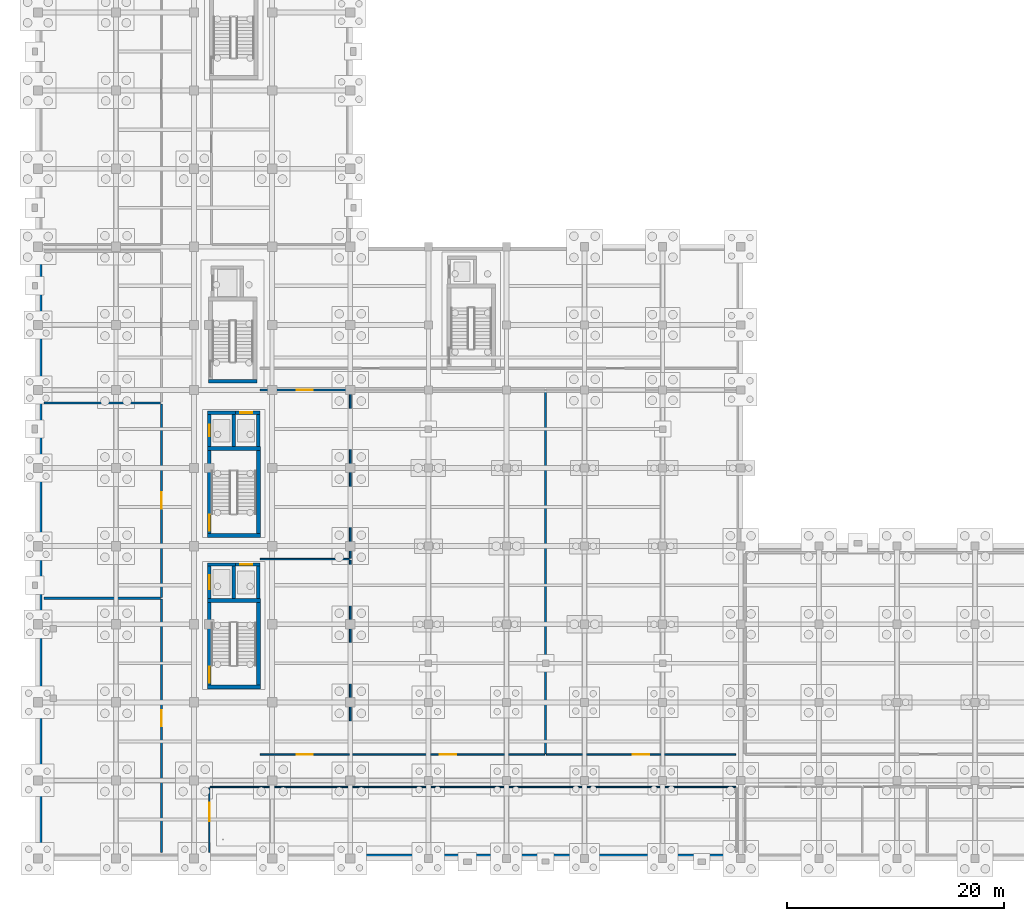
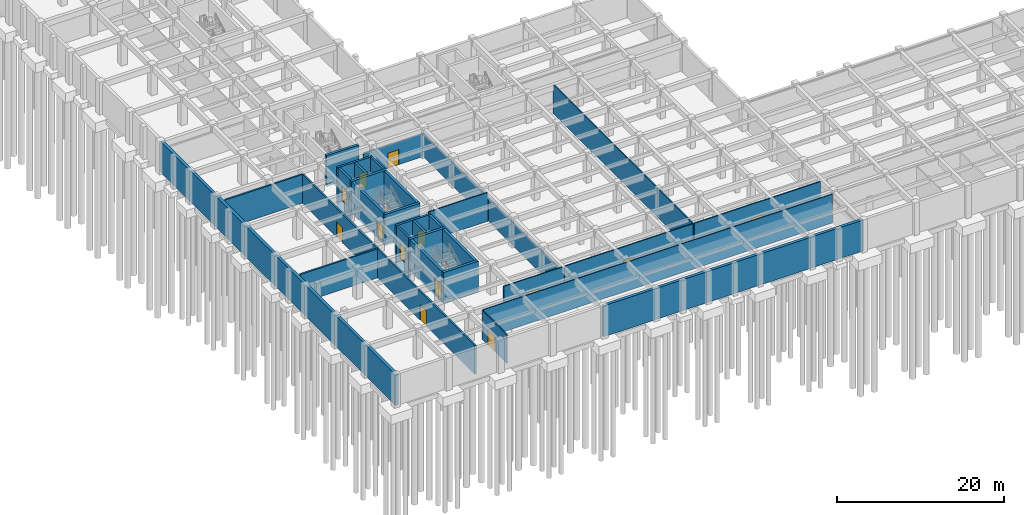
# One storey, part 15 of 28: 35 walls, 13 doors, 13 openings.
"""IFC4 building model written with IfcOpenShell, lengths in metres."""

from ifc_helpers import new_model, si_unit, direction, frame, frame_2d, origin, place, context, subcontext, project, spatial, rectangle, extrude, material, layer, layer_set, type_object, element, fill, save


model = new_model("IFC4")

# Units and contexts
model_context = context("Model", 3, precision=1e-05, world=origin(), true_north=direction((0.0, 1.0)))
body_context = subcontext(model_context, "Body", "Model", "MODEL_VIEW")
ifc_project = project(units=[si_unit("LENGTHUNIT", "METRE"), si_unit("AREAUNIT", "SQUARE_METRE"), si_unit("VOLUMEUNIT", "CUBIC_METRE"), si_unit("PLANEANGLEUNIT", "RADIAN"), si_unit("MASSUNIT", "GRAM", prefix="KILO")], contexts=[model_context])

# Site, building, storey
site_placement = place(None, origin())
site = spatial("IfcSite", under=ifc_project, at=site_placement, CompositionType="ELEMENT")
building_placement = place(site_placement, origin())
building = spatial("IfcBuilding", under=site, at=building_placement, Name="Alvorim Cloister Faculty of Sciences", CompositionType="ELEMENT")
storey_placement = place(building_placement, frame((0.0, 0.0, -4.5)))
storey = spatial("IfcBuildingStorey", under=building, at=storey_placement, Name="B01", CompositionType="ELEMENT", Elevation=-4.5)

# Wall, opening, door
ifc_material_1 = material(Name="Acoustic Gypsum Stud Partition", Category="gypsum")
ifc_layer_1 = layer(ifc_material_1, 0.1201171875)
ifc_layer_set_1 = layer_set([ifc_layer_1], Name="Acoustic Gypsum Stud Partition")
wall_type_1 = type_object("IfcWallType", Name="WL-PRT-120", PredefinedType="PARTITIONING", material=ifc_layer_set_1)
wall_1_placement = place(storey_placement, frame((15.800048828125, 0.580078125, 0.0), z_axis=(0.0, 0.0, 1.0), x_axis=(0.0, 1.0, 0.0)))
wall_1 = element("IfcWall", 1, at=wall_1_placement, inside=storey, type_object=wall_type_1, Name="B01 Paleontology and Herbarium Science Collection Partition IWL-0428", PredefinedType="PARTITIONING", context=body_context, shape_type="SweptSolid", body=[
    extrude(rectangle(XDim=5.93994140625, YDim=0.1201171875, at=frame_2d((2.969970703125, 0.0))), origin(), (0.0, 0.0, 1.0), 4.22509765625),
])
opening_1_placement = place(wall_1_placement, frame((2.850830078125, 0.0, 0.0)))
opening_1 = element("IfcOpeningElement", 2, at=opening_1_placement, cuts=wall_1, Name="Opening D-B01-068", PredefinedType="OPENING", context=body_context, shape_type="SweptSolid", body=[
    extrude(rectangle(XDim=1.699951171875, YDim=2.280029296875, at=frame_2d((0.85009765625, 1.14013671875))), frame((0.0, 0.072021484375, 0.0), z_axis=(0.0, -1.0, 0.0), x_axis=(1.0, 0.0, 0.0)), (0.0, 0.0, 1.0), 0.14404296875),
])
ifc_material_2 = material(Name="Solid Acoustic Oak Timber", Category="wood")
door_type_1 = type_object("IfcDoorType", Name="DR-HALL-1700x2280", OperationType="NOTDEFINED", PredefinedType="DOOR", material=ifc_material_2)
door_1_placement = place(opening_1_placement, origin())
door_1 = element("IfcDoor", 3, at=door_1_placement, inside=storey, type_object=door_type_1, Name="Paleontology and Herbarium Science Collection Door D-B01-068", OperationType="DOUBLE_DOOR_SINGLE_SWING", OverallHeight=2.280029296875, OverallWidth=1.699951171875, PredefinedType="DOOR", context=body_context, shape_type="SweptSolid", body=[
    extrude(rectangle(XDim=1.699951171875, YDim=2.280029296875, at=frame_2d((0.85009765625, 1.14013671875))), frame((0.0, 0.02490234375, 0.0), z_axis=(0.0, -1.0, 0.0), x_axis=(1.0, 0.0, 0.0)), (0.0, 0.0, 1.0), 0.050048828125),
])
fill(opening_1, door_1)

# Wall
wall_2_placement = place(storey_placement, frame((15.8798828125, 6.60009765625, 0.0), z_axis=(0.0, 0.0, 1.0), x_axis=(1.0, 0.0, 0.0)))
element("IfcWall", 4, at=wall_2_placement, inside=storey, type_object=wall_type_1, Name="B01 Paleontology and Herbarium Science Collection Partition IWL-0430", PredefinedType="PARTITIONING", context=body_context, shape_type="SweptSolid", body=[
    extrude(rectangle(XDim=48.440185546875, YDim=0.1201171875, at=frame_2d((24.22021484375, 0.0))), origin(), (0.0, 0.0, 1.0), 4.22509765625),
])

# Wall, opening, door
ifc_material_3 = material(Name="Gypsum Fireboard Stud Partition", Category="gypsum")
ifc_layer_2 = layer(ifc_material_3, 0.14990234375)
ifc_layer_set_2 = layer_set([ifc_layer_2], Name="Gypsum Fireboard Stud Partition")
wall_type_2 = type_object("IfcWallType", Name="WL-PRT-150", PredefinedType="PARTITIONING", material=ifc_layer_set_2)
wall_3_placement = place(storey_placement, frame((20.47998046875, 9.60009765625, 0.0), z_axis=(0.0, 0.0, 1.0), x_axis=(1.0, 0.0, 0.0)))
wall_3 = element("IfcWall", 5, at=wall_3_placement, inside=storey, type_object=wall_type_2, Name="B01 Vibration-Isolated Laser Interferometry Lab Partition IWL-0416", PredefinedType="PARTITIONING", context=body_context, shape_type="SweptSolid", body=[
    extrude(rectangle(XDim=8.239990234375, YDim=0.14990234375, at=frame_2d((4.1201171875, 0.0))), origin(), (0.0, 0.0, 1.0), 4.22509765625),
])
opening_2_placement = place(wall_3_placement, frame((3.3701171875, 0.0, 0.0)))
opening_2 = element("IfcOpeningElement", 6, at=opening_2_placement, cuts=wall_3, Name="Opening D-B01-062", PredefinedType="OPENING", context=body_context, shape_type="SweptSolid", body=[
    extrude(rectangle(XDim=1.5, YDim=2.199951171875, at=frame_2d((0.75, 1.10009765625))), frame((0.0, 0.0869140625, 0.0), z_axis=(0.0, -1.0, 0.0), x_axis=(1.0, 0.0, 0.0)), (0.0, 0.0, 1.0), 0.173828125),
])
ifc_material_4 = material(Name="Fire-Rated Laminate Timber", Category="wood")
door_type_2 = type_object("IfcDoorType", Name="DR-LAB-1500x2200", OperationType="NOTDEFINED", PredefinedType="DOOR", material=ifc_material_4)
door_2_placement = place(opening_2_placement, origin())
door_2 = element("IfcDoor", 7, at=door_2_placement, inside=storey, type_object=door_type_2, Name="Vibration-Isolated Laser Interferometry Lab Door D-B01-062", OperationType="DOUBLE_DOOR_SINGLE_SWING", OverallHeight=2.199951171875, OverallWidth=1.5, PredefinedType="DOOR", context=body_context, shape_type="SweptSolid", body=[
    extrude(rectangle(XDim=1.5, YDim=2.199951171875, at=frame_2d((0.75, 1.10009765625))), frame((0.0, 0.02490234375, 0.0), z_axis=(0.0, -1.0, 0.0), x_axis=(1.0, 0.0, 0.0)), (0.0, 0.0, 1.0), 0.050048828125),
])
fill(opening_2, door_2)

# Walls
wall_4_placement = place(storey_placement, frame((28.800048828125, 9.679931640625, 0.0), z_axis=(0.0, 0.0, 1.0), x_axis=(0.0, 1.0, 0.0)))
element("IfcWall", 8, at=wall_4_placement, inside=storey, type_object=wall_type_2, Name="B01 Vibration-Isolated Laser Interferometry Lab Partition IWL-0417", PredefinedType="PARTITIONING", context=body_context, shape_type="SweptSolid", body=[
    extrude(rectangle(XDim=17.840087890625, YDim=0.14990234375, at=frame_2d((8.919921875, 0.0))), origin(), (0.0, 0.0, 1.0), 3.375),
])
wall_5_placement = place(storey_placement, frame((20.47998046875, 27.60009765625, 0.0), z_axis=(0.0, 0.0, 1.0), x_axis=(1.0, 0.0, 0.0)))
element("IfcWall", 9, at=wall_5_placement, inside=storey, type_object=wall_type_2, Name="B01 Vibration-Isolated Laser Interferometry Lab Partition IWL-0418", PredefinedType="PARTITIONING", context=body_context, shape_type="SweptSolid", body=[
    extrude(rectangle(XDim=8.239990234375, YDim=0.14990234375, at=frame_2d((4.1201171875, 0.0))), origin(), (0.0, 0.0, 1.0), 4.22509765625),
])
wall_6_placement = place(storey_placement, frame((28.800048828125, 27.679931640625, 0.0), z_axis=(0.0, 0.0, 1.0), x_axis=(0.0, 1.0, 0.0)))
element("IfcWall", 10, at=wall_6_placement, inside=storey, type_object=wall_type_2, Name="B01 Cryogenic Electron Microscopy Laboratory Partition IWL-0419", PredefinedType="PARTITIONING", context=body_context, shape_type="SweptSolid", body=[
    extrude(rectangle(XDim=15.440185546875, YDim=0.14990234375, at=frame_2d((7.72021484375, 0.0))), origin(), (0.0, 0.0, 1.0), 3.375),
])

# Wall, opening, door
wall_7_placement = place(storey_placement, frame((20.47998046875, 43.199951171875, 0.0), z_axis=(0.0, 0.0, 1.0), x_axis=(1.0, 0.0, 0.0)))
wall_7 = element("IfcWall", 11, at=wall_7_placement, inside=storey, type_object=wall_type_2, Name="B01 Cryogenic Electron Microscopy Laboratory Partition IWL-0420", PredefinedType="PARTITIONING", context=body_context, shape_type="SweptSolid", body=[
    extrude(rectangle(XDim=8.239990234375, YDim=0.14990234375, at=frame_2d((4.1201171875, 0.0))), origin(), (0.0, 0.0, 1.0), 3.375),
])
opening_3_placement = place(wall_7_placement, frame((3.3701171875, 0.0, 0.0)))
opening_3 = element("IfcOpeningElement", 12, at=opening_3_placement, cuts=wall_7, Name="Opening D-B01-063", PredefinedType="OPENING", context=body_context, shape_type="SweptSolid", body=[
    extrude(rectangle(XDim=1.5, YDim=2.199951171875, at=frame_2d((0.75, 1.10009765625))), frame((0.0, 0.0869140625, 0.0), z_axis=(0.0, -1.0, 0.0), x_axis=(1.0, 0.0, 0.0)), (0.0, 0.0, 1.0), 0.173828125),
])
door_3_placement = place(opening_3_placement, origin())
door_3 = element("IfcDoor", 13, at=door_3_placement, inside=storey, type_object=door_type_2, Name="Cryogenic Electron Microscopy Laboratory Door D-B01-063", OperationType="DOUBLE_DOOR_SINGLE_SWING", OverallHeight=2.199951171875, OverallWidth=1.5, PredefinedType="DOOR", context=body_context, shape_type="SweptSolid", body=[
    extrude(rectangle(XDim=1.5, YDim=2.199951171875, at=frame_2d((0.75, 1.10009765625))), frame((0.0, 0.02490234375, 0.0), z_axis=(0.0, -1.0, 0.0), x_axis=(1.0, 0.0, 0.0)), (0.0, 0.0, 1.0), 0.050048828125),
])
fill(opening_3, door_3)

wall_8_placement = place(storey_placement, frame((28.8798828125, 9.60009765625, 0.0), z_axis=(0.0, 0.0, 1.0), x_axis=(1.0, 0.0, 0.0)))
wall_8 = element("IfcWall", 14, at=wall_8_placement, inside=storey, type_object=wall_type_2, Name="B01 Sub-Grade Optical Metrology Laboratory West Partition IWL-0421", PredefinedType="PARTITIONING", context=body_context, shape_type="SweptSolid", body=[
    extrude(rectangle(XDim=17.840087890625, YDim=0.14990234375, at=frame_2d((8.919921875, 0.0))), origin(), (0.0, 0.0, 1.0), 4.22509765625),
])
opening_4_placement = place(wall_8_placement, frame((8.169921875, 0.0, 0.0)))
opening_4 = element("IfcOpeningElement", 15, at=opening_4_placement, cuts=wall_8, Name="Opening D-B01-064", PredefinedType="OPENING", context=body_context, shape_type="SweptSolid", body=[
    extrude(rectangle(XDim=1.5, YDim=2.199951171875, at=frame_2d((0.75, 1.10009765625))), frame((0.0, 0.0869140625, 0.0), z_axis=(0.0, -1.0, 0.0), x_axis=(1.0, 0.0, 0.0)), (0.0, 0.0, 1.0), 0.173828125),
])
door_4_placement = place(opening_4_placement, origin())
door_4 = element("IfcDoor", 16, at=door_4_placement, inside=storey, type_object=door_type_2, Name="Sub-Grade Optical Metrology Laboratory West Door D-B01-064", OperationType="DOUBLE_DOOR_SINGLE_SWING", OverallHeight=2.199951171875, OverallWidth=1.5, PredefinedType="DOOR", context=body_context, shape_type="SweptSolid", body=[
    extrude(rectangle(XDim=1.5, YDim=2.199951171875, at=frame_2d((0.75, 1.10009765625))), frame((0.0, 0.02490234375, 0.0), z_axis=(0.0, -1.0, 0.0), x_axis=(1.0, 0.0, 0.0)), (0.0, 0.0, 1.0), 0.050048828125),
])
fill(opening_4, door_4)

# Wall
wall_9_placement = place(storey_placement, frame((46.800048828125, 9.679931640625, 0.0), z_axis=(0.0, 0.0, 1.0), x_axis=(0.0, 1.0, 0.0)))
element("IfcWall", 17, at=wall_9_placement, inside=storey, type_object=wall_type_2, Name="B01 Sub-Grade Optical Metrology Laboratory West Partition IWL-0422", PredefinedType="PARTITIONING", context=body_context, shape_type="SweptSolid", body=[
    extrude(rectangle(XDim=33.440185546875, YDim=0.14990234375, at=frame_2d((16.72021484375, 0.0))), origin(), (0.0, 0.0, 1.0), 4.22509765625),
])

# Wall, opening, door
wall_10_placement = place(storey_placement, frame((46.8798828125, 9.60009765625, 0.0), z_axis=(0.0, 0.0, 1.0), x_axis=(1.0, 0.0, 0.0)))
wall_10 = element("IfcWall", 18, at=wall_10_placement, inside=storey, type_object=wall_type_2, Name="B01 Sub-Grade Geochronology and Isotope Laboratory Partition IWL-0424", PredefinedType="PARTITIONING", context=body_context, shape_type="SweptSolid", body=[
    extrude(rectangle(XDim=17.440185546875, YDim=0.14990234375, at=frame_2d((8.72021484375, 0.0))), origin(), (0.0, 0.0, 1.0), 4.22509765625),
])
opening_5_placement = place(wall_10_placement, frame((7.969970703125, 0.0, 0.0)))
opening_5 = element("IfcOpeningElement", 19, at=opening_5_placement, cuts=wall_10, Name="Opening D-B01-065", PredefinedType="OPENING", context=body_context, shape_type="SweptSolid", body=[
    extrude(rectangle(XDim=1.5, YDim=2.199951171875, at=frame_2d((0.75, 1.10009765625))), frame((0.0, 0.0869140625, 0.0), z_axis=(0.0, -1.0, 0.0), x_axis=(1.0, 0.0, 0.0)), (0.0, 0.0, 1.0), 0.173828125),
])
door_5_placement = place(opening_5_placement, origin())
door_5 = element("IfcDoor", 20, at=door_5_placement, inside=storey, type_object=door_type_2, Name="Sub-Grade Geochronology and Isotope Laboratory Door D-B01-065", OperationType="DOUBLE_DOOR_SINGLE_SWING", OverallHeight=2.199951171875, OverallWidth=1.5, PredefinedType="DOOR", context=body_context, shape_type="SweptSolid", body=[
    extrude(rectangle(XDim=1.5, YDim=2.199951171875, at=frame_2d((0.75, 1.10009765625))), frame((0.0, 0.02490234375, 0.0), z_axis=(0.0, -1.0, 0.0), x_axis=(1.0, 0.0, 0.0)), (0.0, 0.0, 1.0), 0.050048828125),
])
fill(opening_5, door_5)

ifc_material_5 = material(Name="Autoclaved Aerated Concrete Blockwork", Category="masonry")
ifc_layer_3 = layer(ifc_material_5, 0.219970703125)
ifc_layer_set_3 = layer_set([ifc_layer_3], Name="Autoclaved Aerated Concrete Blockwork")
wall_type_3 = type_object("IfcWallType", Name="WL-PRT-220", PredefinedType="PARTITIONING", material=ifc_layer_set_3)
wall_11_placement = place(storey_placement, frame((11.39990234375, 0.580078125, 0.0), z_axis=(0.0, 0.0, 1.0), x_axis=(0.0, 1.0, 0.0)))
wall_11 = element("IfcWall", 21, at=wall_11_placement, inside=storey, type_object=wall_type_3, Name="B01 Central Chiller and Ice-Thermal Plant Partition IWL-0410", PredefinedType="PARTITIONING", context=body_context, shape_type="SweptSolid", body=[
    extrude(rectangle(XDim=23.33984375, YDim=0.219970703125, at=frame_2d((11.669921875, 0.0))), origin(), (0.0, 0.0, 1.0), 4.22509765625),
])
opening_6_placement = place(wall_11_placement, frame((11.60009765625, 0.0, 0.0)))
opening_6 = element("IfcOpeningElement", 22, at=opening_6_placement, cuts=wall_11, Name="Opening D-B01-059", PredefinedType="OPENING", context=body_context, shape_type="SweptSolid", body=[
    extrude(rectangle(XDim=1.5, YDim=2.25, at=frame_2d((0.75, 1.125))), frame((0.0, 0.1220703125, 0.0), z_axis=(0.0, -1.0, 0.0), x_axis=(1.0, 0.0, 0.0)), (0.0, 0.0, 1.0), 0.243896484375),
])
ifc_material_6 = material(Name="Galvanised Fire-Rated Steel", Category="steel")
door_type_3 = type_object("IfcDoorType", Name="DR-PLN-1500x2250", OperationType="NOTDEFINED", PredefinedType="DOOR", material=ifc_material_6)
door_6_placement = place(opening_6_placement, origin())
door_6 = element("IfcDoor", 23, at=door_6_placement, inside=storey, type_object=door_type_3, Name="Central Chiller and Ice-Thermal Plant Door D-B01-059", OperationType="DOUBLE_DOOR_SINGLE_SWING", OverallHeight=2.25, OverallWidth=1.5, PredefinedType="DOOR", context=body_context, shape_type="SweptSolid", body=[
    extrude(rectangle(XDim=1.5, YDim=2.25, at=frame_2d((0.75, 1.125))), frame((0.0, 0.02490234375, 0.0), z_axis=(0.0, -1.0, 0.0), x_axis=(1.0, 0.0, 0.0)), (0.0, 0.0, 1.0), 0.050048828125),
])
fill(opening_6, door_6)

# Wall
wall_12_placement = place(storey_placement, frame((0.580078125, 24.0, 0.0), z_axis=(0.0, 0.0, 1.0), x_axis=(1.0, 0.0, 0.0)))
element("IfcWall", 24, at=wall_12_placement, inside=storey, type_object=wall_type_3, Name="B01 Central Chiller and Ice-Thermal Plant Partition IWL-0411", PredefinedType="PARTITIONING", context=body_context, shape_type="SweptSolid", body=[
    extrude(rectangle(XDim=10.739990234375, YDim=0.219970703125, at=frame_2d((5.3701171875, 0.0))), origin(), (0.0, 0.0, 1.0), 4.22509765625),
])

# Wall, opening, door
wall_13_placement = place(storey_placement, frame((11.39990234375, 24.080078125, 0.0), z_axis=(0.0, 0.0, 1.0), x_axis=(0.0, 1.0, 0.0)))
wall_13 = element("IfcWall", 25, at=wall_13_placement, inside=storey, type_object=wall_type_3, Name="B01 Medium-Voltage Substation and UPS Hall Partition IWL-0412", PredefinedType="PARTITIONING", context=body_context, shape_type="SweptSolid", body=[
    extrude(rectangle(XDim=17.83984375, YDim=0.219970703125, at=frame_2d((8.919921875, 0.0))), origin(), (0.0, 0.0, 1.0), 4.22509765625),
])
opening_7_placement = place(wall_13_placement, frame((8.169921875, 0.0, 0.0)))
opening_7 = element("IfcOpeningElement", 26, at=opening_7_placement, cuts=wall_13, Name="Opening D-B01-060", PredefinedType="OPENING", context=body_context, shape_type="SweptSolid", body=[
    extrude(rectangle(XDim=1.5, YDim=2.25, at=frame_2d((0.75, 1.125))), frame((0.0, 0.1220703125, 0.0), z_axis=(0.0, -1.0, 0.0), x_axis=(1.0, 0.0, 0.0)), (0.0, 0.0, 1.0), 0.243896484375),
])
door_7_placement = place(opening_7_placement, origin())
door_7 = element("IfcDoor", 27, at=door_7_placement, inside=storey, type_object=door_type_3, Name="Medium-Voltage Substation and UPS Hall Door D-B01-060", OperationType="DOUBLE_DOOR_SINGLE_SWING", OverallHeight=2.25, OverallWidth=1.5, PredefinedType="DOOR", context=body_context, shape_type="SweptSolid", body=[
    extrude(rectangle(XDim=1.5, YDim=2.25, at=frame_2d((0.75, 1.125))), frame((0.0, 0.02490234375, 0.0), z_axis=(0.0, -1.0, 0.0), x_axis=(1.0, 0.0, 0.0)), (0.0, 0.0, 1.0), 0.050048828125),
])
fill(opening_7, door_7)

# Walls
wall_14_placement = place(storey_placement, frame((0.580078125, 42.0, 0.0), z_axis=(0.0, 0.0, 1.0), x_axis=(1.0, 0.0, 0.0)))
element("IfcWall", 28, at=wall_14_placement, inside=storey, type_object=wall_type_3, Name="B01 Medium-Voltage Substation and UPS Hall Partition IWL-0413", PredefinedType="PARTITIONING", context=body_context, shape_type="SweptSolid", body=[
    extrude(rectangle(XDim=10.739990234375, YDim=0.219970703125, at=frame_2d((5.3701171875, 0.0))), origin(), (0.0, 0.0, 1.0), 4.22509765625),
])
ifc_material_7 = material(Name="Concrete C40", Category="concrete")
ifc_layer_4 = layer(ifc_material_7, 0.39990234375)
ifc_layer_set_4 = layer_set([ifc_layer_4], Name="Concrete C40")
wall_type_4 = type_object("IfcWallType", Name="WL-RET-400", PredefinedType="USERDEFINED", material=ifc_layer_set_4)
wall_15_placement = place(storey_placement, frame((64.800048828125, 0.199951171875, -0.300048828125), z_axis=(0.0, 0.0, 1.0), x_axis=(-1.0, 0.0, 0.0)))
element("IfcWall", 29, at=wall_15_placement, inside=storey, type_object=wall_type_4, Name="B01 Perimeter Retaining Wall WL-RET-0005", ObjectType="RETAINING WALL", PredefinedType="USERDEFINED", context=body_context, shape_type="SweptSolid", body=[
    extrude(rectangle(XDim=36.0, YDim=0.39990234375, at=frame_2d((18.0, 0.0))), origin(), (0.0, 0.0, 1.0), 4.5400390625),
])
wall_16_placement = place(storey_placement, frame((0.199951171875, 0.0, -0.300048828125), z_axis=(0.0, 0.0, 1.0), x_axis=(0.0, 1.0, 0.0)))
element("IfcWall", 30, at=wall_16_placement, inside=storey, type_object=wall_type_4, Name="B01 Perimeter Retaining Wall WL-RET-0007", ObjectType="RETAINING WALL", PredefinedType="USERDEFINED", context=body_context, shape_type="SweptSolid", body=[
    extrude(rectangle(XDim=56.39990234375, YDim=0.39990234375, at=frame_2d((28.199951171875, 0.0))), origin(), (0.0, 0.0, 1.0), 4.5400390625),
])
ifc_layer_5 = layer(ifc_material_7, 0.300048828125)
ifc_layer_set_5 = layer_set([ifc_layer_5], Name="Concrete C40")
wall_type_5 = type_object("IfcWallType", Name="WL-SHR-300", PredefinedType="SHEAR", material=ifc_layer_set_5)
wall_17_placement = place(storey_placement, frame((15.64990234375, 27.10009765625, -1.60009765625), z_axis=(0.0, 0.0, 1.0), x_axis=(1.0, 0.0, 0.0)))
element("IfcWall", 31, at=wall_17_placement, inside=storey, type_object=wall_type_5, Name="B01 Lift LF-01 Shaft Wall IWL-0233", PredefinedType="SHEAR", context=body_context, shape_type="SweptSolid", body=[
    extrude(rectangle(XDim=2.56005859375, YDim=0.300048828125, at=frame_2d((1.280029296875, 0.0))), origin(), (0.0, 0.0, 1.0), 5.840087890625),
])

# Wall, opening, door
wall_18_placement = place(storey_placement, frame((15.800048828125, 23.97998046875, -1.60009765625), z_axis=(0.0, 0.0, 1.0), x_axis=(0.0, 1.0, 0.0)))
wall_18 = element("IfcWall", 32, at=wall_18_placement, inside=storey, type_object=wall_type_5, Name="B01 Lift LF-01 Shaft Wall IWL-0234", PredefinedType="SHEAR", context=body_context, shape_type="SweptSolid", body=[
    extrude(rectangle(XDim=2.969970703125, YDim=0.300048828125, at=frame_2d((1.48486328125, 0.0))), origin(), (0.0, 0.0, 1.0), 5.840087890625),
])
opening_8_placement = place(wall_18_placement, frame((0.8349609375, 0.0, 1.60009765625)))
opening_8 = element("IfcOpeningElement", 33, at=opening_8_placement, cuts=wall_18, Name="Opening LD-001", PredefinedType="OPENING", context=body_context, shape_type="SweptSolid", body=[
    extrude(rectangle(XDim=1.300048828125, YDim=2.25, at=frame_2d((0.64990234375, 1.125))), frame((0.0, 0.162109375, 0.0), z_axis=(0.0, -1.0, 0.0), x_axis=(1.0, 0.0, 0.0)), (0.0, 0.0, 1.0), 0.323974609375),
])
ifc_material_8 = material(Name="Brushed Stainless Steel", Category="steel")
door_type_4 = type_object("IfcDoorType", Name="DR-LFT-1300x2250", OperationType="NOTDEFINED", PredefinedType="DOOR", material=ifc_material_8)
door_8_placement = place(opening_8_placement, origin())
door_8 = element("IfcDoor", 34, at=door_8_placement, inside=storey, type_object=door_type_4, Name="B01 Lift LF-01 Sliding Landing Door LD-001", OperationType="DOUBLE_DOOR_SLIDING", OverallHeight=2.25, OverallWidth=1.300048828125, PredefinedType="DOOR", context=body_context, shape_type="SweptSolid", body=[
    extrude(rectangle(XDim=1.300048828125, YDim=2.25, at=frame_2d((0.64990234375, 1.125))), frame((0.0, 0.02490234375, 0.0), z_axis=(0.0, -1.0, 0.0), x_axis=(1.0, 0.0, 0.0)), (0.0, 0.0, 1.0), 0.050048828125),
])
fill(opening_8, door_8)

# Wall
wall_19_placement = place(storey_placement, frame((18.06005859375, 23.97998046875, -1.60009765625), z_axis=(0.0, 0.0, 1.0), x_axis=(0.0, 1.0, 0.0)))
element("IfcWall", 35, at=wall_19_placement, inside=storey, type_object=wall_type_5, Name="B01 Lift LF-01 Shaft Wall IWL-0235", PredefinedType="SHEAR", context=body_context, shape_type="SweptSolid", body=[
    extrude(rectangle(XDim=2.969970703125, YDim=0.300048828125, at=frame_2d((1.48486328125, 0.0))), origin(), (0.0, 0.0, 1.0), 5.840087890625),
])

# Wall, opening, door
wall_20_placement = place(storey_placement, frame((17.909912109375, 27.10009765625, -1.60009765625), z_axis=(0.0, 0.0, 1.0), x_axis=(1.0, 0.0, 0.0)))
wall_20 = element("IfcWall", 36, at=wall_20_placement, inside=storey, type_object=wall_type_5, Name="B01 Lift LP-01 Shaft Wall IWL-0266", PredefinedType="SHEAR", context=body_context, shape_type="SweptSolid", body=[
    extrude(rectangle(XDim=2.56005859375, YDim=0.300048828125, at=frame_2d((1.280029296875, 0.0))), origin(), (0.0, 0.0, 1.0), 5.840087890625),
])
opening_9_placement = place(wall_20_placement, frame((0.72998046875, 0.0, 1.60009765625)))
opening_9 = element("IfcOpeningElement", 37, at=opening_9_placement, cuts=wall_20, Name="Opening LD-012", PredefinedType="OPENING", context=body_context, shape_type="SweptSolid", body=[
    extrude(rectangle(XDim=1.10009765625, YDim=2.199951171875, at=frame_2d((0.550048828125, 1.10009765625))), frame((0.0, 0.162109375, 0.0), z_axis=(0.0, -1.0, 0.0), x_axis=(1.0, 0.0, 0.0)), (0.0, 0.0, 1.0), 0.323974609375),
])
door_type_5 = type_object("IfcDoorType", Name="DR-LFT-1100x2200", OperationType="NOTDEFINED", PredefinedType="DOOR", material=ifc_material_8)
door_9_placement = place(opening_9_placement, origin())
door_9 = element("IfcDoor", 38, at=door_9_placement, inside=storey, type_object=door_type_5, Name="B01 Lift LP-01 Sliding Landing Door LD-012", OperationType="DOUBLE_DOOR_SLIDING", OverallHeight=2.199951171875, OverallWidth=1.10009765625, PredefinedType="DOOR", context=body_context, shape_type="SweptSolid", body=[
    extrude(rectangle(XDim=1.10009765625, YDim=2.199951171875, at=frame_2d((0.550048828125, 1.10009765625))), frame((0.0, 0.02490234375, 0.0), z_axis=(0.0, -1.0, 0.0), x_axis=(1.0, 0.0, 0.0)), (0.0, 0.0, 1.0), 0.050048828125),
])
fill(opening_9, door_9)

# Walls
wall_21_placement = place(storey_placement, frame((20.320068359375, 23.97998046875, -1.60009765625), z_axis=(0.0, 0.0, 1.0), x_axis=(0.0, 1.0, 0.0)))
element("IfcWall", 39, at=wall_21_placement, inside=storey, type_object=wall_type_5, Name="B01 Lift LP-01 Shaft Wall IWL-0267", PredefinedType="SHEAR", context=body_context, shape_type="SweptSolid", body=[
    extrude(rectangle(XDim=2.969970703125, YDim=0.300048828125, at=frame_2d((1.48486328125, 0.0))), origin(), (0.0, 0.0, 1.0), 5.840087890625),
])
wall_22_placement = place(storey_placement, frame((15.64990234375, 41.10009765625, -1.60009765625), z_axis=(0.0, 0.0, 1.0), x_axis=(1.0, 0.0, 0.0)))
element("IfcWall", 40, at=wall_22_placement, inside=storey, type_object=wall_type_5, Name="B01 Lift LP-02 Shaft Wall IWL-0288", PredefinedType="SHEAR", context=body_context, shape_type="SweptSolid", body=[
    extrude(rectangle(XDim=2.56005859375, YDim=0.300048828125, at=frame_2d((1.280029296875, 0.0))), origin(), (0.0, 0.0, 1.0), 5.840087890625),
])

# Wall, opening, door
wall_23_placement = place(storey_placement, frame((15.800048828125, 37.97998046875, -1.60009765625), z_axis=(0.0, 0.0, 1.0), x_axis=(0.0, 1.0, 0.0)))
wall_23 = element("IfcWall", 41, at=wall_23_placement, inside=storey, type_object=wall_type_5, Name="B01 Lift LP-02 Shaft Wall IWL-0289", PredefinedType="SHEAR", context=body_context, shape_type="SweptSolid", body=[
    extrude(rectangle(XDim=2.969970703125, YDim=0.300048828125, at=frame_2d((1.48486328125, 0.0))), origin(), (0.0, 0.0, 1.0), 5.840087890625),
])
opening_10_placement = place(wall_23_placement, frame((0.93505859375, 0.0, 1.60009765625)))
opening_10 = element("IfcOpeningElement", 42, at=opening_10_placement, cuts=wall_23, Name="Opening LD-023", PredefinedType="OPENING", context=body_context, shape_type="SweptSolid", body=[
    extrude(rectangle(XDim=1.10009765625, YDim=2.199951171875, at=frame_2d((0.550048828125, 1.10009765625))), frame((0.0, 0.162109375, 0.0), z_axis=(0.0, -1.0, 0.0), x_axis=(1.0, 0.0, 0.0)), (0.0, 0.0, 1.0), 0.323974609375),
])
door_10_placement = place(opening_10_placement, origin())
door_10 = element("IfcDoor", 43, at=door_10_placement, inside=storey, type_object=door_type_5, Name="B01 Lift LP-02 Sliding Landing Door LD-023", OperationType="DOUBLE_DOOR_SLIDING", OverallHeight=2.199951171875, OverallWidth=1.10009765625, PredefinedType="DOOR", context=body_context, shape_type="SweptSolid", body=[
    extrude(rectangle(XDim=1.10009765625, YDim=2.199951171875, at=frame_2d((0.550048828125, 1.10009765625))), frame((0.0, 0.02490234375, 0.0), z_axis=(0.0, -1.0, 0.0), x_axis=(1.0, 0.0, 0.0)), (0.0, 0.0, 1.0), 0.050048828125),
])
fill(opening_10, door_10)

# Wall
wall_24_placement = place(storey_placement, frame((18.06005859375, 37.97998046875, -1.60009765625), z_axis=(0.0, 0.0, 1.0), x_axis=(0.0, 1.0, 0.0)))
element("IfcWall", 44, at=wall_24_placement, inside=storey, type_object=wall_type_5, Name="B01 Lift LP-02 Shaft Wall IWL-0290", PredefinedType="SHEAR", context=body_context, shape_type="SweptSolid", body=[
    extrude(rectangle(XDim=2.969970703125, YDim=0.300048828125, at=frame_2d((1.48486328125, 0.0))), origin(), (0.0, 0.0, 1.0), 5.840087890625),
])

# Wall, opening, door
wall_25_placement = place(storey_placement, frame((17.909912109375, 41.10009765625, -1.60009765625), z_axis=(0.0, 0.0, 1.0), x_axis=(1.0, 0.0, 0.0)))
wall_25 = element("IfcWall", 45, at=wall_25_placement, inside=storey, type_object=wall_type_5, Name="B01 Lift LP-03 Shaft Wall IWL-0318", PredefinedType="SHEAR", context=body_context, shape_type="SweptSolid", body=[
    extrude(rectangle(XDim=2.56005859375, YDim=0.300048828125, at=frame_2d((1.280029296875, 0.0))), origin(), (0.0, 0.0, 1.0), 5.840087890625),
])
opening_11_placement = place(wall_25_placement, frame((0.72998046875, 0.0, 1.60009765625)))
opening_11 = element("IfcOpeningElement", 46, at=opening_11_placement, cuts=wall_25, Name="Opening LD-033", PredefinedType="OPENING", context=body_context, shape_type="SweptSolid", body=[
    extrude(rectangle(XDim=1.10009765625, YDim=2.199951171875, at=frame_2d((0.550048828125, 1.10009765625))), frame((0.0, 0.162109375, 0.0), z_axis=(0.0, -1.0, 0.0), x_axis=(1.0, 0.0, 0.0)), (0.0, 0.0, 1.0), 0.323974609375),
])
door_11_placement = place(opening_11_placement, origin())
door_11 = element("IfcDoor", 47, at=door_11_placement, inside=storey, type_object=door_type_5, Name="B01 Lift LP-03 Sliding Landing Door LD-033", OperationType="DOUBLE_DOOR_SLIDING", OverallHeight=2.199951171875, OverallWidth=1.10009765625, PredefinedType="DOOR", context=body_context, shape_type="SweptSolid", body=[
    extrude(rectangle(XDim=1.10009765625, YDim=2.199951171875, at=frame_2d((0.550048828125, 1.10009765625))), frame((0.0, 0.02490234375, 0.0), z_axis=(0.0, -1.0, 0.0), x_axis=(1.0, 0.0, 0.0)), (0.0, 0.0, 1.0), 0.050048828125),
])
fill(opening_11, door_11)

# Walls
wall_26_placement = place(storey_placement, frame((20.320068359375, 37.97998046875, -1.60009765625), z_axis=(0.0, 0.0, 1.0), x_axis=(0.0, 1.0, 0.0)))
element("IfcWall", 48, at=wall_26_placement, inside=storey, type_object=wall_type_5, Name="B01 Lift LP-03 Shaft Wall IWL-0319", PredefinedType="SHEAR", context=body_context, shape_type="SweptSolid", body=[
    extrude(rectangle(XDim=2.969970703125, YDim=0.300048828125, at=frame_2d((1.48486328125, 0.0))), origin(), (0.0, 0.0, 1.0), 5.840087890625),
])
ifc_layer_6 = layer(ifc_material_7, 0.360107421875)
ifc_layer_set_6 = layer_set([ifc_layer_6], Name="Concrete C40")
wall_type_6 = type_object("IfcWallType", Name="WL-SHR-360", PredefinedType="SHEAR", material=ifc_layer_set_6)
for number, where, z_axis, x_axis, name in (
    (49, (15.6201171875, 15.800048828125, -0.300048828125), (0.0, 0.0, 1.0), (1.0, 0.0, 0.0), "B01 CORE K1 Shear Wall IWL-0001"),
    (50, (15.6201171875, 23.800048828125, -0.300048828125), (0.0, 0.0, 1.0), (1.0, 0.0, 0.0), "B01 CORE K1 Shear Wall IWL-0002"),
):
    element("IfcWall", number, at=place(storey_placement, frame(where, z_axis=z_axis, x_axis=x_axis)), inside=storey, type_object=wall_type_6, Name=name, PredefinedType="SHEAR", context=body_context, shape_type="SweptSolid", body=[
        extrude(rectangle(XDim=4.8798828125, YDim=0.360107421875, at=frame_2d((2.43994140625, 0.0))), origin(), (0.0, 0.0, 1.0), 4.5400390625),
    ])

# Wall, opening, door
wall_27_placement = place(storey_placement, frame((15.800048828125, 15.97998046875, -0.300048828125), z_axis=(0.0, 0.0, 1.0), x_axis=(0.0, 1.0, 0.0)))
wall_27 = element("IfcWall", 51, at=wall_27_placement, inside=storey, type_object=wall_type_6, Name="B01 CORE K1 Shear Wall IWL-0003", PredefinedType="SHEAR", context=body_context, shape_type="SweptSolid", body=[
    extrude(rectangle(XDim=7.64013671875, YDim=0.360107421875, at=frame_2d((3.820068359375, 0.0))), origin(), (0.0, 0.0, 1.0), 4.5400390625),
])
opening_12_placement = place(wall_27_placement, frame((0.219970703125, 0.0, 0.300048828125)))
opening_12 = element("IfcOpeningElement", 52, at=opening_12_placement, cuts=wall_27, Name="Opening SD-K1-B01", PredefinedType="OPENING", context=body_context, shape_type="SweptSolid", body=[
    extrude(rectangle(XDim=1.5, YDim=2.199951171875, at=frame_2d((0.75, 1.10009765625))), frame((0.0, 0.19189453125, 0.0), z_axis=(0.0, -1.0, 0.0), x_axis=(1.0, 0.0, 0.0)), (0.0, 0.0, 1.0), 0.384033203125),
])
door_type_6 = type_object("IfcDoorType", Name="DR-STR-1500x2200", OperationType="NOTDEFINED", PredefinedType="DOOR", material=ifc_material_6)
door_12_placement = place(opening_12_placement, origin())
door_12 = element("IfcDoor", 53, at=door_12_placement, inside=storey, type_object=door_type_6, Name="B01 Stair ST-01 Fire Door SD-K1-B01", OperationType="DOUBLE_DOOR_SINGLE_SWING", OverallHeight=2.199951171875, OverallWidth=1.5, PredefinedType="DOOR", context=body_context, shape_type="SweptSolid", body=[
    extrude(rectangle(XDim=1.5, YDim=2.199951171875, at=frame_2d((0.75, 1.10009765625))), frame((0.0, 0.02490234375, 0.0), z_axis=(0.0, -1.0, 0.0), x_axis=(1.0, 0.0, 0.0)), (0.0, 0.0, 1.0), 0.050048828125),
])
fill(opening_12, door_12)

# Walls
wall_28_placement = place(storey_placement, frame((20.320068359375, 15.97998046875, -0.300048828125), z_axis=(0.0, 0.0, 1.0), x_axis=(0.0, 1.0, 0.0)))
element("IfcWall", 54, at=wall_28_placement, inside=storey, type_object=wall_type_6, Name="B01 CORE K1 Shear Wall IWL-0004", PredefinedType="SHEAR", context=body_context, shape_type="SweptSolid", body=[
    extrude(rectangle(XDim=7.64013671875, YDim=0.360107421875, at=frame_2d((3.820068359375, 0.0))), origin(), (0.0, 0.0, 1.0), 4.5400390625),
])
for number, where, z_axis, x_axis, name in (
    (55, (15.6201171875, 29.800048828125, -0.300048828125), (0.0, 0.0, 1.0), (1.0, 0.0, 0.0), "B01 CORE K2 Shear Wall IWL-0045"),
    (56, (15.6201171875, 37.800048828125, -0.300048828125), (0.0, 0.0, 1.0), (1.0, 0.0, 0.0), "B01 CORE K2 Shear Wall IWL-0046"),
):
    element("IfcWall", number, at=place(storey_placement, frame(where, z_axis=z_axis, x_axis=x_axis)), inside=storey, type_object=wall_type_6, Name=name, PredefinedType="SHEAR", context=body_context, shape_type="SweptSolid", body=[
        extrude(rectangle(XDim=4.8798828125, YDim=0.360107421875, at=frame_2d((2.43994140625, 0.0))), origin(), (0.0, 0.0, 1.0), 4.5400390625),
    ])

# Wall, opening, door
wall_29_placement = place(storey_placement, frame((15.800048828125, 29.97998046875, -0.300048828125), z_axis=(0.0, 0.0, 1.0), x_axis=(0.0, 1.0, 0.0)))
wall_29 = element("IfcWall", 57, at=wall_29_placement, inside=storey, type_object=wall_type_6, Name="B01 CORE K2 Shear Wall IWL-0047", PredefinedType="SHEAR", context=body_context, shape_type="SweptSolid", body=[
    extrude(rectangle(XDim=7.64013671875, YDim=0.360107421875, at=frame_2d((3.820068359375, 0.0))), origin(), (0.0, 0.0, 1.0), 4.5400390625),
])
opening_13_placement = place(wall_29_placement, frame((0.219970703125, 0.0, 0.300048828125)))
opening_13 = element("IfcOpeningElement", 58, at=opening_13_placement, cuts=wall_29, Name="Opening SD-K2-B01", PredefinedType="OPENING", context=body_context, shape_type="SweptSolid", body=[
    extrude(rectangle(XDim=1.5, YDim=2.199951171875, at=frame_2d((0.75, 1.10009765625))), frame((0.0, 0.19189453125, 0.0), z_axis=(0.0, -1.0, 0.0), x_axis=(1.0, 0.0, 0.0)), (0.0, 0.0, 1.0), 0.384033203125),
])
door_13_placement = place(opening_13_placement, origin())
door_13 = element("IfcDoor", 59, at=door_13_placement, inside=storey, type_object=door_type_6, Name="B01 Stair ST-02 Fire Door SD-K2-B01", OperationType="DOUBLE_DOOR_SINGLE_SWING", OverallHeight=2.199951171875, OverallWidth=1.5, PredefinedType="DOOR", context=body_context, shape_type="SweptSolid", body=[
    extrude(rectangle(XDim=1.5, YDim=2.199951171875, at=frame_2d((0.75, 1.10009765625))), frame((0.0, 0.02490234375, 0.0), z_axis=(0.0, -1.0, 0.0), x_axis=(1.0, 0.0, 0.0)), (0.0, 0.0, 1.0), 0.050048828125),
])
fill(opening_13, door_13)

# Walls
wall_30_placement = place(storey_placement, frame((20.320068359375, 29.97998046875, -0.300048828125), z_axis=(0.0, 0.0, 1.0), x_axis=(0.0, 1.0, 0.0)))
element("IfcWall", 60, at=wall_30_placement, inside=storey, type_object=wall_type_6, Name="B01 CORE K2 Shear Wall IWL-0048", PredefinedType="SHEAR", context=body_context, shape_type="SweptSolid", body=[
    extrude(rectangle(XDim=7.64013671875, YDim=0.360107421875, at=frame_2d((3.820068359375, 0.0))), origin(), (0.0, 0.0, 1.0), 4.5400390625),
])
wall_31_placement = place(storey_placement, frame((15.719970703125, 44.0, -0.300048828125), z_axis=(0.0, 0.0, 1.0), x_axis=(1.0, 0.0, 0.0)))
element("IfcWall", 61, at=wall_31_placement, inside=storey, type_object=wall_type_6, Name="B01 CORE K3 Shear Wall IWL-0089", PredefinedType="SHEAR", context=body_context, shape_type="SweptSolid", body=[
    extrude(rectangle(XDim=4.47998046875, YDim=0.360107421875, at=frame_2d((2.239990234375, 0.0))), origin(), (0.0, 0.0, 1.0), 4.5400390625),
])

save(model, "model.ifc")
